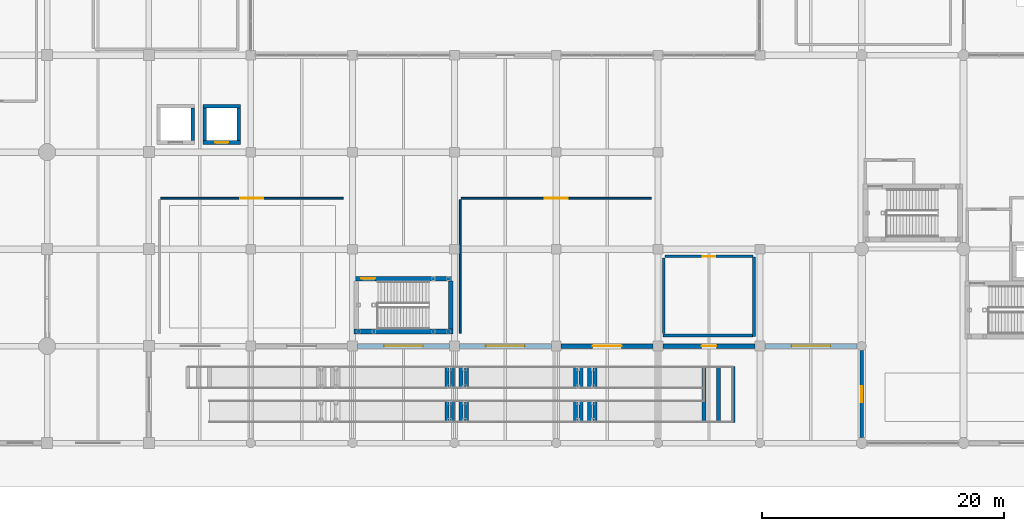
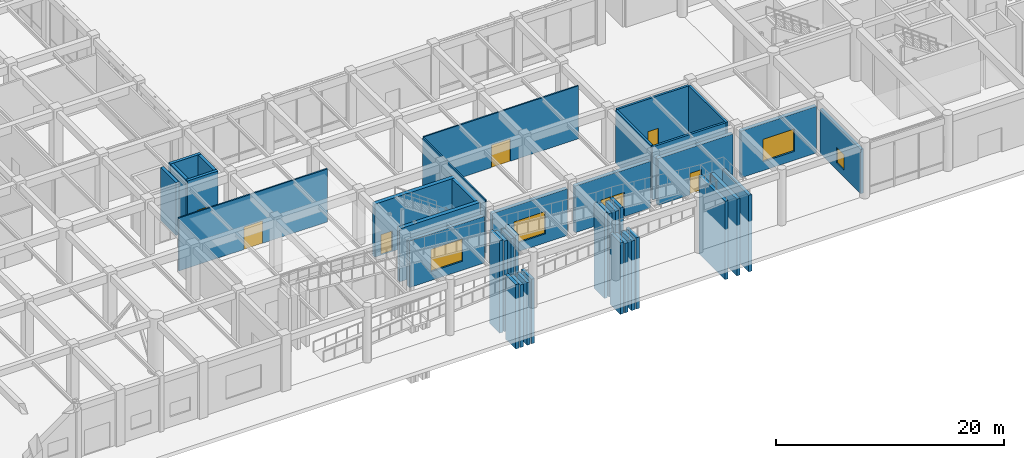
# One storey, part 52 of 76: 40 walls, 7 doors, 4 windows, 11 openings.
"""IFC4 building model written with IfcOpenShell, lengths in metres."""

from ifc_helpers import new_model, si_unit, direction, frame, frame_2d, origin, place, context, subcontext, project, spatial, rectangle, extrude, material, layer, layer_set, type_object, element, fill, save


model = new_model("IFC4")

# Units and contexts
model_context = context("Model", 3, precision=1e-05, world=origin(), true_north=direction((0.0, 1.0)))
body_context = subcontext(model_context, "Body", "Model", "MODEL_VIEW")
ifc_project = project(units=[si_unit("LENGTHUNIT", "METRE"), si_unit("AREAUNIT", "SQUARE_METRE"), si_unit("VOLUMEUNIT", "CUBIC_METRE"), si_unit("PLANEANGLEUNIT", "RADIAN"), si_unit("MASSUNIT", "GRAM", prefix="KILO")], contexts=[model_context])

# Site, building, storey
site_placement = place(None, origin())
site = spatial("IfcSite", under=ifc_project, at=site_placement, CompositionType="ELEMENT")
building_placement = place(site_placement, origin())
building = spatial("IfcBuilding", under=site, at=building_placement, Name="Naruveol Harbour Congress Hotel", CompositionType="ELEMENT")
storey_placement = place(building_placement, origin())
storey = spatial("IfcBuildingStorey", under=building, at=storey_placement, Name="L00", CompositionType="ELEMENT", Elevation=0.0)

# Wall, opening, door
ifc_material_1 = material(Name="Acoustic Double Stud Gypsum", Category="gypsum")
ifc_layer_1 = layer(ifc_material_1, 0.139892578125)
ifc_layer_set_1 = layer_set([ifc_layer_1], Name="Acoustic Double Stud Gypsum")
wall_type_1 = type_object("IfcWallType", Name="ACOUSTIC MEETING PARTITION WALL 140", PredefinedType="PARTITIONING", material=ifc_layer_set_1)
wall_1_placement = place(storey_placement, frame((59.760009765625, 20.199951171875, 0.0), z_axis=(0.0, 0.0, 1.0), x_axis=(1.0, 0.0, 0.0)))
wall_1 = element("IfcWall", 1, at=wall_1_placement, inside=storey, type_object=wall_type_1, Name="Harbourfront Brasserie Restaurant north entry wall PW-140", PredefinedType="PARTITIONING", context=body_context, shape_type="SweptSolid", body=[
    extrude(rectangle(XDim=15.080078125, YDim=0.139892578125, at=frame_2d((7.5400390625, 0.0))), origin(), (0.0, 0.0, 1.0), 5.675048828125),
])
opening_1_placement = place(wall_1_placement, frame((6.590087890625, 0.0, 0.0)))
opening_1 = element("IfcOpeningElement", 2, at=opening_1_placement, cuts=wall_1, Name="Opening ID-LG-26", PredefinedType="OPENING", context=body_context, shape_type="SweptSolid", body=[
    extrude(rectangle(XDim=1.89990234375, YDim=2.39990234375, at=frame_2d((0.949951171875, 1.199951171875))), frame((0.0, 0.079833984375, 0.0), z_axis=(0.0, -1.0, 0.0), x_axis=(1.0, 0.0, 0.0)), (0.0, 0.0, 1.0), 0.159912109375),
])
ifc_material_2 = material(Name="Timber & Steel Acoustic Leaf", Category="steel")
door_type_1 = type_object("IfcDoorType", Name="RESTAURANT AND LOUNGE GLAZED DOOR 1900X2400", OperationType="DOUBLE_DOOR_SINGLE_SWING", PredefinedType="DOOR", material=ifc_material_2)
door_1_placement = place(opening_1_placement, origin())
door_1 = element("IfcDoor", 3, at=door_1_placement, inside=storey, type_object=door_type_1, Name="Harbourfront Brasserie Restaurant Entrance Door", OperationType="DOUBLE_DOOR_SINGLE_SWING", OverallHeight=2.39990234375, OverallWidth=1.89990234375, PredefinedType="DOOR", context=body_context, shape_type="SweptSolid", body=[
    extrude(rectangle(XDim=1.89990234375, YDim=2.39990234375, at=frame_2d((0.949951171875, 1.199951171875))), frame((0.0, 0.02490234375, 0.0), z_axis=(0.0, -1.0, 0.0), x_axis=(1.0, 0.0, 0.0)), (0.0, 0.0, 1.0), 0.050048828125),
])
fill(opening_1, door_1)

wall_2_placement = place(storey_placement, frame((84.56005859375, 20.199951171875, 0.0), z_axis=(0.0, 0.0, 1.0), x_axis=(1.0, 0.0, 0.0)))
wall_2 = element("IfcWall", 4, at=wall_2_placement, inside=storey, type_object=wall_type_1, Name="Waterfront Seafood Dining Room north entry wall PW-140", PredefinedType="PARTITIONING", context=body_context, shape_type="SweptSolid", body=[
    extrude(rectangle(XDim=15.679931640625, YDim=0.139892578125, at=frame_2d((7.83984375, 0.0))), origin(), (0.0, 0.0, 1.0), 5.675048828125),
])
opening_2_placement = place(wall_2_placement, frame((6.889892578125, 0.0, 0.0)))
opening_2 = element("IfcOpeningElement", 5, at=opening_2_placement, cuts=wall_2, Name="Opening ID-LG-27", PredefinedType="OPENING", context=body_context, shape_type="SweptSolid", body=[
    extrude(rectangle(XDim=1.89990234375, YDim=2.39990234375, at=frame_2d((0.949951171875, 1.199951171875))), frame((0.0, 0.079833984375, 0.0), z_axis=(0.0, -1.0, 0.0), x_axis=(1.0, 0.0, 0.0)), (0.0, 0.0, 1.0), 0.159912109375),
])
door_2_placement = place(opening_2_placement, origin())
door_2 = element("IfcDoor", 6, at=door_2_placement, inside=storey, type_object=door_type_1, Name="Waterfront Seafood Dining Room Entrance Door", OperationType="DOUBLE_DOOR_SINGLE_SWING", OverallHeight=2.39990234375, OverallWidth=1.89990234375, PredefinedType="DOOR", context=body_context, shape_type="SweptSolid", body=[
    extrude(rectangle(XDim=1.89990234375, YDim=2.39990234375, at=frame_2d((0.949951171875, 1.199951171875))), frame((0.0, 0.02490234375, 0.0), z_axis=(0.0, -1.0, 0.0), x_axis=(1.0, 0.0, 0.0)), (0.0, 0.0, 1.0), 0.050048828125),
])
fill(opening_2, door_2)

# Wall
wall_3_placement = place(storey_placement, frame((84.47998046875, 9.050048828125, 0.0), z_axis=(0.0, 0.0, 1.0), x_axis=(0.0, 1.0, 0.0)))
element("IfcWall", 7, at=wall_3_placement, inside=storey, type_object=wall_type_1, Name="Waterfront Seafood Dining Room west partition PW-140", PredefinedType="PARTITIONING", context=body_context, shape_type="SweptSolid", body=[
    extrude(rectangle(XDim=11.010009765625, YDim=0.139892578125, at=frame_2d((5.5048828125, 0.0))), origin(), (0.0, 0.0, 1.0), 5.675048828125),
])

# Wall, opening, window
ifc_material_3 = material(Name="Precast concrete C40/50", Category="concrete")
ifc_layer_2 = layer(ifc_material_3, 0.280029296875)
ifc_layer_set_2 = layer_set([ifc_layer_2], Name="Precast concrete C40/50")
wall_type_2 = type_object("IfcWallType", Name="ARCHITECTURAL PRECAST FACADE WALL 280", PredefinedType="SOLIDWALL", material=ifc_layer_set_2)
wall_4_placement = place(storey_placement, frame((117.60009765625, 0.449951171875, 0.0), z_axis=(0.0, 0.0, 1.0), x_axis=(0.0, 1.0, 0.0)))
wall_4 = element("IfcWall", 8, at=wall_4_placement, inside=storey, type_object=wall_type_2, Name="Hotel west gable wall L00 EW-280", PredefinedType="SOLIDWALL", context=body_context, shape_type="SweptSolid", body=[
    extrude(rectangle(XDim=7.175048828125, YDim=0.280029296875, at=frame_2d((3.58740234375, 0.0))), origin(), (0.0, 0.0, 1.0), 4.75),
])
opening_3_placement = place(wall_4_placement, frame((2.93798828125, 0.0, 0.75)))
opening_3 = element("IfcOpeningElement", 9, at=opening_3_placement, cuts=wall_4, Name="Opening W-27", PredefinedType="OPENING", context=body_context, shape_type="SweptSolid", body=[
    extrude(rectangle(XDim=1.300048828125, YDim=1.64990234375, at=frame_2d((0.64990234375, 0.824951171875))), frame((0.0, 0.14990234375, 0.0), z_axis=(0.0, -1.0, 0.0), x_axis=(1.0, 0.0, 0.0)), (0.0, 0.0, 1.0), 0.300048828125),
])
ifc_material_4 = material(Name="Low-E Triple Glazing in Thermal Aluminium", Category="aluminium")
window_type_1 = type_object("IfcWindowType", Name="READING SALON TALL WINDOW 1300X1650", PartitioningType="SINGLE_PANEL", PredefinedType="WINDOW", material=ifc_material_4)
window_1_placement = place(opening_3_placement, origin())
window_1 = element("IfcWindow", 10, at=window_1_placement, inside=storey, type_object=window_type_1, Name="Window W-27 #178", OverallHeight=1.64990234375, OverallWidth=1.300048828125, PartitioningType="SINGLE_PANEL", PredefinedType="WINDOW", context=body_context, shape_type="SweptSolid", body=[
    extrude(rectangle(XDim=1.300048828125, YDim=1.64990234375, at=frame_2d((0.64990234375, 0.824951171875))), frame((0.0, 0.030029296875, 0.0), z_axis=(0.0, -1.0, 0.0), x_axis=(1.0, 0.0, 0.0)), (0.0, 0.0, 1.0), 0.06005859375),
])
fill(opening_3, window_1)

# Wall, opening, door
ifc_material_5 = material(Name="Concrete C40/50", Category="concrete")
ifc_layer_3 = layer(ifc_material_5, 0.219970703125)
ifc_layer_set_3 = layer_set([ifc_layer_3], Name="Concrete C40/50")
wall_type_3 = type_object("IfcWallType", Name="FIRE COMPARTMENT AND LOBBY WALL 220 EI120", PredefinedType="PARTITIONING", material=ifc_layer_set_3)
wall_5_placement = place(storey_placement, frame((101.360107421875, 15.39990234375, 0.0), z_axis=(0.0, 0.0, 1.0), x_axis=(1.0, 0.0, 0.0)))
wall_5 = element("IfcWall", 11, at=wall_5_placement, inside=storey, type_object=wall_type_3, Name="Fire Command Centre north entry wall FW-220", PredefinedType="PARTITIONING", context=body_context, shape_type="SweptSolid", body=[
    extrude(rectangle(XDim=7.27978515625, YDim=0.219970703125, at=frame_2d((3.639892578125, 0.0))), origin(), (0.0, 0.0, 1.0), 5.675048828125),
])
opening_4_placement = place(wall_5_placement, frame((3.110107421875, 0.0, 0.0)))
opening_4 = element("IfcOpeningElement", 12, at=opening_4_placement, cuts=wall_5, Name="Opening FD-FCC2", PredefinedType="OPENING", context=body_context, shape_type="SweptSolid", body=[
    extrude(rectangle(XDim=1.06005859375, YDim=2.199951171875, at=frame_2d((0.530029296875, 1.10009765625))), frame((0.0, 0.119873046875, 0.0), z_axis=(0.0, -1.0, 0.0), x_axis=(1.0, 0.0, 0.0)), (0.0, 0.0, 1.0), 0.239990234375),
])
ifc_material_6 = material(Name="Timber & Steel Acoustic Leaf", Category="steel")
door_type_2 = type_object("IfcDoorType", Name="FIRE COMMAND INTERIOR FIRE DOOR 1060X2200", OperationType="NOTDEFINED", PredefinedType="DOOR", material=ifc_material_6)
door_3_placement = place(opening_4_placement, origin())
door_3 = element("IfcDoor", 13, at=door_3_placement, inside=storey, type_object=door_type_2, Name="Fire Command Interior Door FD-FCC2", OperationType="SINGLE_SWING_RIGHT", OverallHeight=2.199951171875, OverallWidth=1.06005859375, PredefinedType="DOOR", context=body_context, shape_type="SweptSolid", body=[
    extrude(rectangle(XDim=1.06005859375, YDim=2.199951171875, at=frame_2d((0.530029296875, 1.10009765625))), frame((0.0, 0.02490234375, 0.0), z_axis=(0.0, -1.0, 0.0), x_axis=(1.0, 0.0, 0.0)), (0.0, 0.0, 1.0), 0.050048828125),
])
fill(opening_4, door_3)

# Walls
wall_6_placement = place(storey_placement, frame((101.280029296875, 9.050048828125, 0.0), z_axis=(0.0, 0.0, 1.0), x_axis=(0.0, 1.0, 0.0)))
element("IfcWall", 14, at=wall_6_placement, inside=storey, type_object=wall_type_3, Name="Fire Command Centre west partition FW-220", PredefinedType="PARTITIONING", context=body_context, shape_type="SweptSolid", body=[
    extrude(rectangle(XDim=6.2099609375, YDim=0.219970703125, at=frame_2d((3.10498046875, 0.0))), origin(), (0.0, 0.0, 1.0), 5.675048828125),
])
wall_7_placement = place(storey_placement, frame((108.719970703125, 8.800048828125, 0.0), z_axis=(0.0, 0.0, 1.0), x_axis=(0.0, 1.0, 0.0)))
element("IfcWall", 15, at=wall_7_placement, inside=storey, type_object=wall_type_3, Name="Fire Command Centre east enclosure partition FW-220", PredefinedType="PARTITIONING", context=body_context, shape_type="SweptSolid", body=[
    extrude(rectangle(XDim=6.5478515625, YDim=0.219970703125, at=frame_2d((3.27392578125, 0.0))), origin(), (0.0, 0.0, 1.0), 5.675048828125),
])
wall_8_placement = place(storey_placement, frame((101.199951171875, 8.8798828125, 0.0), z_axis=(0.0, 0.0, 1.0), x_axis=(1.0, 0.0, 0.0)))
element("IfcWall", 16, at=wall_8_placement, inside=storey, type_object=wall_type_3, Name="Fire Command Centre south enclosure partition FW-220", PredefinedType="PARTITIONING", context=body_context, shape_type="SweptSolid", body=[
    extrude(rectangle(XDim=7.41015625, YDim=0.219970703125, at=frame_2d((3.705078125, 0.0))), origin(), (0.0, 0.0, 1.0), 5.675048828125),
])

# Wall, opening, window
ifc_material_7 = material(Name="Concrete C40/50", Category="concrete")
ifc_layer_4 = layer(ifc_material_7, 0.3798828125)
ifc_layer_set_4 = layer_set([ifc_layer_4], Name="Concrete C40/50")
wall_type_4 = type_object("IfcWallType", Name="INSULATED GRANITE FACADE WALL 380", PredefinedType="SOLIDWALL", material=ifc_layer_set_4)
wall_9_placement = place(storey_placement, frame((117.22509765625, 8.0, 0.0), z_axis=(0.0, 0.0, 1.0), x_axis=(-1.0, 0.0, 0.0)))
wall_9 = element("IfcWall", 17, at=wall_9_placement, inside=storey, type_object=wall_type_4, Name="Courtyard wing south facade EW-380", PredefinedType="SOLIDWALL", context=body_context, shape_type="SweptSolid", body=[
    extrude(rectangle(XDim=7.625, YDim=0.3798828125, at=frame_2d((3.8125, 0.0))), origin(), (0.0, 0.0, 1.0), 5.0),
])
opening_5_placement = place(wall_9_placement, frame((2.2119140625, 0.0, 0.949951171875)))
opening_5 = element("IfcOpeningElement", 18, at=opening_5_placement, cuts=wall_9, Name="Opening W-11", PredefinedType="OPENING", context=body_context, shape_type="SweptSolid", body=[
    extrude(rectangle(XDim=3.199951171875, YDim=2.39990234375, at=frame_2d((1.60009765625, 1.199951171875))), frame((0.0, 0.199951171875, 0.0), z_axis=(0.0, -1.0, 0.0), x_axis=(1.0, 0.0, 0.0)), (0.0, 0.0, 1.0), 0.39990234375),
])
ifc_material_8 = material(Name="Low-E Triple Glazing in Thermal Aluminium", Category="aluminium")
window_type_2 = type_object("IfcWindowType", Name="BRASSERIE WATERFRONT WINDOW 3200X2400", PartitioningType="DOUBLE_PANEL_VERTICAL", PredefinedType="WINDOW", material=ifc_material_8)
window_2_placement = place(opening_5_placement, origin())
window_2 = element("IfcWindow", 19, at=window_2_placement, inside=storey, type_object=window_type_2, Name="Window W-11 #131", OverallHeight=2.39990234375, OverallWidth=3.199951171875, PartitioningType="DOUBLE_PANEL_VERTICAL", PredefinedType="WINDOW", context=body_context, shape_type="SweptSolid", body=[
    extrude(rectangle(XDim=3.199951171875, YDim=2.39990234375, at=frame_2d((1.60009765625, 1.199951171875))), frame((0.0, 0.030029296875, 0.0), z_axis=(0.0, -1.0, 0.0), x_axis=(1.0, 0.0, 0.0)), (0.0, 0.0, 1.0), 0.06005859375),
])
fill(opening_5, window_2)

# Wall, opening, door
wall_10_placement = place(storey_placement, frame((108.800048828125, 8.0, 0.0), z_axis=(0.0, 0.0, 1.0), x_axis=(-1.0, 0.0, 0.0)))
wall_10 = element("IfcWall", 20, at=wall_10_placement, inside=storey, type_object=wall_type_4, Name="Courtyard wing south facade EW-380", PredefinedType="SOLIDWALL", context=body_context, shape_type="SweptSolid", body=[
    extrude(rectangle(XDim=7.60009765625, YDim=0.3798828125, at=frame_2d((3.800048828125, 0.0))), origin(), (0.0, 0.0, 1.0), 5.0),
])
opening_6_placement = place(wall_10_placement, frame((3.199951171875, 0.0, 0.0)))
opening_6 = element("IfcOpeningElement", 21, at=opening_6_placement, cuts=wall_10, Name="Opening FD-FCC1", PredefinedType="OPENING", context=body_context, shape_type="SweptSolid", body=[
    extrude(rectangle(XDim=1.199951171875, YDim=2.300048828125, at=frame_2d((0.60009765625, 1.14990234375))), frame((0.0, 0.199951171875, 0.0), z_axis=(0.0, -1.0, 0.0), x_axis=(1.0, 0.0, 0.0)), (0.0, 0.0, 1.0), 0.39990234375),
])
ifc_material_9 = material(Name="Powder-Coated Steel & Insulated Glazing", Category="steel")
door_type_3 = type_object("IfcDoorType", Name="FIRE COMMAND EXTERIOR DOOR 1200X2300", OperationType="NOTDEFINED", PredefinedType="DOOR", material=ifc_material_9)
door_4_placement = place(opening_6_placement, origin())
door_4 = element("IfcDoor", 22, at=door_4_placement, inside=storey, type_object=door_type_3, Name="Fire Command Direct Exterior Door FD-FCC1", OperationType="SINGLE_SWING_LEFT", OverallHeight=2.300048828125, OverallWidth=1.199951171875, PredefinedType="DOOR", context=body_context, shape_type="SweptSolid", body=[
    extrude(rectangle(XDim=1.199951171875, YDim=2.300048828125, at=frame_2d((0.60009765625, 1.14990234375))), frame((0.0, 0.02490234375, 0.0), z_axis=(0.0, -1.0, 0.0), x_axis=(1.0, 0.0, 0.0)), (0.0, 0.0, 1.0), 0.050048828125),
])
fill(opening_6, door_4)

wall_11_placement = place(storey_placement, frame((100.39990234375, 8.0, 0.0), z_axis=(0.0, 0.0, 1.0), x_axis=(-1.0, 0.0, 0.0)))
wall_11 = element("IfcWall", 23, at=wall_11_placement, inside=storey, type_object=wall_type_4, Name="Courtyard wing south facade EW-380", PredefinedType="SOLIDWALL", context=body_context, shape_type="SweptSolid", body=[
    extrude(rectangle(XDim=7.599853515625, YDim=0.3798828125, at=frame_2d((3.7998046875, 0.0))), origin(), (0.0, 0.0, 1.0), 5.0),
])
opening_7_placement = place(wall_11_placement, frame((2.60009765625, 0.0, 0.0)))
opening_7 = element("IfcOpeningElement", 24, at=opening_7_placement, cuts=wall_11, Name="Opening E10", PredefinedType="OPENING", context=body_context, shape_type="SweptSolid", body=[
    extrude(rectangle(XDim=2.39990234375, YDim=2.60009765625, at=frame_2d((1.199951171875, 1.300048828125))), frame((0.0, 0.199951171875, 0.0), z_axis=(0.0, -1.0, 0.0), x_axis=(1.0, 0.0, 0.0)), (0.0, 0.0, 1.0), 0.39990234375),
])
ifc_material_10 = material(Name="Powder-Coated Steel & Insulated Glazing", Category="steel")
door_type_4 = type_object("IfcDoorType", Name="FINAL EXIT DOUBLE DOOR 2400X2600", OperationType="DOUBLE_DOOR_SINGLE_SWING", PredefinedType="DOOR", material=ifc_material_10)
door_5_placement = place(opening_7_placement, origin())
door_5 = element("IfcDoor", 25, at=door_5_placement, inside=storey, type_object=door_type_4, Name="Final Exit Door E10", OperationType="DOUBLE_DOOR_SINGLE_SWING", OverallHeight=2.60009765625, OverallWidth=2.39990234375, PredefinedType="DOOR", context=body_context, shape_type="SweptSolid", body=[
    extrude(rectangle(XDim=2.39990234375, YDim=2.60009765625, at=frame_2d((1.199951171875, 1.300048828125))), frame((0.0, 0.02490234375, 0.0), z_axis=(0.0, -1.0, 0.0), x_axis=(1.0, 0.0, 0.0)), (0.0, 0.0, 1.0), 0.050048828125),
])
fill(opening_7, door_5)

# Wall, opening, window
wall_12_placement = place(storey_placement, frame((92.0, 8.0, 0.0), z_axis=(0.0, 0.0, 1.0), x_axis=(-1.0, 0.0, 0.0)))
wall_12 = element("IfcWall", 26, at=wall_12_placement, inside=storey, type_object=wall_type_4, Name="Courtyard wing south facade EW-380", PredefinedType="SOLIDWALL", context=body_context, shape_type="SweptSolid", body=[
    extrude(rectangle(XDim=7.60009765625, YDim=0.3798828125, at=frame_2d((3.800048828125, 0.0))), origin(), (0.0, 0.0, 1.0), 5.0),
])
opening_8_placement = place(wall_12_placement, frame((2.199951171875, 0.0, 0.949951171875)))
opening_8 = element("IfcOpeningElement", 27, at=opening_8_placement, cuts=wall_12, Name="Opening W-11", PredefinedType="OPENING", context=body_context, shape_type="SweptSolid", body=[
    extrude(rectangle(XDim=3.199951171875, YDim=2.39990234375, at=frame_2d((1.60009765625, 1.199951171875))), frame((0.0, 0.199951171875, 0.0), z_axis=(0.0, -1.0, 0.0), x_axis=(1.0, 0.0, 0.0)), (0.0, 0.0, 1.0), 0.39990234375),
])
window_3_placement = place(opening_8_placement, origin())
window_3 = element("IfcWindow", 28, at=window_3_placement, inside=storey, type_object=window_type_2, Name="Window W-11 #132", OverallHeight=2.39990234375, OverallWidth=3.199951171875, PartitioningType="DOUBLE_PANEL_VERTICAL", PredefinedType="WINDOW", context=body_context, shape_type="SweptSolid", body=[
    extrude(rectangle(XDim=3.199951171875, YDim=2.39990234375, at=frame_2d((1.60009765625, 1.199951171875))), frame((0.0, 0.030029296875, 0.0), z_axis=(0.0, -1.0, 0.0), x_axis=(1.0, 0.0, 0.0)), (0.0, 0.0, 1.0), 0.06005859375),
])
fill(opening_8, window_3)

wall_13_placement = place(storey_placement, frame((83.60009765625, 8.0, 0.0), z_axis=(0.0, 0.0, 1.0), x_axis=(-1.0, 0.0, 0.0)))
wall_13 = element("IfcWall", 29, at=wall_13_placement, inside=storey, type_object=wall_type_4, Name="Courtyard wing south facade EW-380", PredefinedType="SOLIDWALL", context=body_context, shape_type="SweptSolid", body=[
    extrude(rectangle(XDim=7.60009765625, YDim=0.3798828125, at=frame_2d((3.800048828125, 0.0))), origin(), (0.0, 0.0, 1.0), 5.0),
])
opening_9_placement = place(wall_13_placement, frame((2.199951171875, 0.0, 0.949951171875)))
opening_9 = element("IfcOpeningElement", 30, at=opening_9_placement, cuts=wall_13, Name="Opening W-11", PredefinedType="OPENING", context=body_context, shape_type="SweptSolid", body=[
    extrude(rectangle(XDim=3.199951171875, YDim=2.39990234375, at=frame_2d((1.60009765625, 1.199951171875))), frame((0.0, 0.199951171875, 0.0), z_axis=(0.0, -1.0, 0.0), x_axis=(1.0, 0.0, 0.0)), (0.0, 0.0, 1.0), 0.39990234375),
])
window_4_placement = place(opening_9_placement, origin())
window_4 = element("IfcWindow", 31, at=window_4_placement, inside=storey, type_object=window_type_2, Name="Window W-11 #133", OverallHeight=2.39990234375, OverallWidth=3.199951171875, PartitioningType="DOUBLE_PANEL_VERTICAL", PredefinedType="WINDOW", context=body_context, shape_type="SweptSolid", body=[
    extrude(rectangle(XDim=3.199951171875, YDim=2.39990234375, at=frame_2d((1.60009765625, 1.199951171875))), frame((0.0, 0.030029296875, 0.0), z_axis=(0.0, -1.0, 0.0), x_axis=(1.0, 0.0, 0.0)), (0.0, 0.0, 1.0), 0.06005859375),
])
fill(opening_9, window_4)

# Walls
ifc_material_11 = material(Name="Concrete C50/60", Category="concrete")
ifc_layer_5 = layer(ifc_material_11, 0.39990234375)
ifc_layer_set_5 = layer_set([ifc_layer_5], Name="Concrete C50/60")
wall_type_5 = type_object("IfcWallType", Name="RC CORE SHEAR WALL 400 EI120", PredefinedType="SHEAR", material=ifc_layer_set_5)
wall_14_placement = place(storey_placement, frame((75.699951171875, 9.199951171875, 0.0), z_axis=(0.0, 0.0, 1.0), x_axis=(1.0, 0.0, 0.0)))
element("IfcWall", 32, at=wall_14_placement, inside=storey, type_object=wall_type_5, Name="Stair ST10 south core wall CW-400", PredefinedType="SHEAR", context=body_context, shape_type="SweptSolid", body=[
    extrude(rectangle(XDim=8.199951171875, YDim=0.39990234375, at=frame_2d((4.10009765625, 0.0))), origin(), (0.0, 0.0, 1.0), 5.675048828125),
])
wall_15_placement = place(storey_placement, frame((83.699951171875, 9.405029296875, 0.0), z_axis=(0.0, 0.0, 1.0), x_axis=(0.0, 1.0, 0.0)))
element("IfcWall", 33, at=wall_15_placement, inside=storey, type_object=wall_type_5, Name="Stair ST10 east core wall CW-400", PredefinedType="SHEAR", context=body_context, shape_type="SweptSolid", body=[
    extrude(rectangle(XDim=3.949951171875, YDim=0.39990234375, at=frame_2d((1.97509765625, 0.0))), origin(), (0.0, 0.0, 1.0), 5.675048828125),
])

# Wall, opening, door
wall_16_placement = place(storey_placement, frame((75.699951171875, 13.56005859375, 0.0), z_axis=(0.0, 0.0, 1.0), x_axis=(1.0, 0.0, 0.0)))
wall_16 = element("IfcWall", 34, at=wall_16_placement, inside=storey, type_object=wall_type_5, Name="Stair ST10 north core wall CW-400", PredefinedType="SHEAR", context=body_context, shape_type="SweptSolid", body=[
    extrude(rectangle(XDim=8.199951171875, YDim=0.39990234375, at=frame_2d((4.10009765625, 0.0))), origin(), (0.0, 0.0, 1.0), 5.675048828125),
])
opening_10_placement = place(wall_16_placement, frame((0.6201171875, 0.0, 0.0)))
opening_10 = element("IfcOpeningElement", 35, at=opening_10_placement, cuts=wall_16, Name="Opening FD-ST10-L00", PredefinedType="OPENING", context=body_context, shape_type="SweptSolid", body=[
    extrude(rectangle(XDim=1.159912109375, YDim=2.199951171875, at=frame_2d((0.580078125, 1.10009765625))), frame((0.0, 0.2099609375, 0.0), z_axis=(0.0, -1.0, 0.0), x_axis=(1.0, 0.0, 0.0)), (0.0, 0.0, 1.0), 0.419921875),
])
ifc_material_12 = material(Name="Timber & Steel Acoustic Leaf", Category="steel")
door_type_5 = type_object("IfcDoorType", Name="SPECIAL ESCAPE STAIR FIRE DOOR 1160X2200", OperationType="NOTDEFINED", PredefinedType="DOOR", material=ifc_material_12)
door_6_placement = place(opening_10_placement, origin())
door_6 = element("IfcDoor", 36, at=door_6_placement, inside=storey, type_object=door_type_5, Name="Enclosed Exit Stair Door ST10 L00", OperationType="SINGLE_SWING_LEFT", OverallHeight=2.199951171875, OverallWidth=1.159912109375, PredefinedType="DOOR", context=body_context, shape_type="SweptSolid", body=[
    extrude(rectangle(XDim=1.159912109375, YDim=2.199951171875, at=frame_2d((0.580078125, 1.10009765625))), frame((0.0, 0.02490234375, 0.0), z_axis=(0.0, -1.0, 0.0), x_axis=(1.0, 0.0, 0.0)), (0.0, 0.0, 1.0), 0.050048828125),
])
fill(opening_10, door_6)

# Walls
ifc_material_13 = material(Name="Concrete C40/50", Category="concrete")
ifc_layer_6 = layer(ifc_material_13, 0.320068359375)
ifc_layer_set_6 = layer_set([ifc_layer_6], Name="Concrete C40/50")
wall_type_6 = type_object("IfcWallType", Name="RC RAMP SUPPORT WALL 320", PredefinedType="SHEAR", material=ifc_layer_set_6)
wall_17_placement = place(storey_placement, frame((83.39990234375, 1.699951171875, -5.39990234375), z_axis=(0.0, 0.0, 1.0), x_axis=(0.0, 1.0, 0.0)))
element("IfcWall", 37, at=wall_17_placement, inside=storey, type_object=wall_type_6, Name="Promenade ramp bearing pier #6", PredefinedType="SHEAR", context=body_context, shape_type="SweptSolid", body=[
    extrude(rectangle(XDim=1.800048828125, YDim=0.320068359375, at=frame_2d((0.89990234375, 0.0))), origin(), (0.0, 0.0, 1.0), 6.89990234375),
])
for number, where, z_axis, x_axis, name in (
    (38, (83.85009765625, 1.699951171875, -5.39990234375), (0.0, 0.0, 1.0), (0.0, 1.0, 0.0), "Promenade ramp bearing pier #7"),
    (39, (84.550048828125, 1.699951171875, -5.39990234375), (0.0, 0.0, 1.0), (0.0, 1.0, 0.0), "Promenade ramp bearing pier #8"),
):
    element("IfcWall", number, at=place(storey_placement, frame(where, z_axis=z_axis, x_axis=x_axis)), inside=storey, type_object=wall_type_6, Name=name, PredefinedType="SHEAR", context=body_context, shape_type="SweptSolid", body=[
        extrude(rectangle(XDim=1.800048828125, YDim=0.320068359375, at=frame_2d((0.89990234375, 0.0))), origin(), (0.0, 0.0, 1.0), 6.699951171875),
    ])
wall_18_placement = place(storey_placement, frame((85.0, 1.699951171875, -5.39990234375), z_axis=(0.0, 0.0, 1.0), x_axis=(0.0, 1.0, 0.0)))
element("IfcWall", 40, at=wall_18_placement, inside=storey, type_object=wall_type_6, Name="Promenade ramp bearing pier #9", PredefinedType="SHEAR", context=body_context, shape_type="SweptSolid", body=[
    extrude(rectangle(XDim=1.800048828125, YDim=0.320068359375, at=frame_2d((0.89990234375, 0.0))), origin(), (0.0, 0.0, 1.0), 6.89990234375),
])
wall_19_placement = place(storey_placement, frame((94.0, 1.699951171875, -5.39990234375), z_axis=(0.0, 0.0, 1.0), x_axis=(0.0, 1.0, 0.0)))
element("IfcWall", 41, at=wall_19_placement, inside=storey, type_object=wall_type_6, Name="Promenade ramp bearing pier #10", PredefinedType="SHEAR", context=body_context, shape_type="SweptSolid", body=[
    extrude(rectangle(XDim=1.800048828125, YDim=0.320068359375, at=frame_2d((0.89990234375, 0.0))), origin(), (0.0, 0.0, 1.0), 7.64990234375),
])
for number, where, z_axis, x_axis, name in (
    (42, (94.449951171875, 1.699951171875, -5.39990234375), (0.0, 0.0, 1.0), (0.0, 1.0, 0.0), "Promenade ramp bearing pier #11"),
    (43, (95.14990234375, 1.699951171875, -5.39990234375), (0.0, 0.0, 1.0), (0.0, 1.0, 0.0), "Promenade ramp bearing pier #12"),
):
    element("IfcWall", number, at=place(storey_placement, frame(where, z_axis=z_axis, x_axis=x_axis)), inside=storey, type_object=wall_type_6, Name=name, PredefinedType="SHEAR", context=body_context, shape_type="SweptSolid", body=[
        extrude(rectangle(XDim=1.800048828125, YDim=0.320068359375, at=frame_2d((0.89990234375, 0.0))), origin(), (0.0, 0.0, 1.0), 7.449951171875),
    ])
wall_20_placement = place(storey_placement, frame((95.60009765625, 1.699951171875, -5.39990234375), z_axis=(0.0, 0.0, 1.0), x_axis=(0.0, 1.0, 0.0)))
element("IfcWall", 44, at=wall_20_placement, inside=storey, type_object=wall_type_6, Name="Promenade ramp bearing pier #13", PredefinedType="SHEAR", context=body_context, shape_type="SweptSolid", body=[
    extrude(rectangle(XDim=1.800048828125, YDim=0.320068359375, at=frame_2d((0.89990234375, 0.0))), origin(), (0.0, 0.0, 1.0), 7.64990234375),
])
wall_21_placement = place(storey_placement, frame((104.60009765625, 1.699951171875, -5.39990234375), z_axis=(0.0, 0.0, 1.0), x_axis=(0.0, 1.0, 0.0)))
element("IfcWall", 45, at=wall_21_placement, inside=storey, type_object=wall_type_6, Name="Promenade ramp bearing pier #14", PredefinedType="SHEAR", context=body_context, shape_type="SweptSolid", body=[
    extrude(rectangle(XDim=4.60009765625, YDim=0.320068359375, at=frame_2d((2.300048828125, 0.0))), origin(), (0.0, 0.0, 1.0), 8.39990234375),
])
for number, where, z_axis, x_axis, name in (
    (46, (105.800048828125, 1.699951171875, -5.39990234375), (0.0, 0.0, 1.0), (0.0, 1.0, 0.0), "Promenade ramp bearing pier #15"),
    (47, (107.0, 1.699951171875, -5.39990234375), (0.0, 0.0, 1.0), (0.0, 1.0, 0.0), "Promenade ramp bearing pier #16"),
):
    element("IfcWall", number, at=place(storey_placement, frame(where, z_axis=z_axis, x_axis=x_axis)), inside=storey, type_object=wall_type_6, Name=name, PredefinedType="SHEAR", context=body_context, shape_type="SweptSolid", body=[
        extrude(rectangle(XDim=4.60009765625, YDim=0.320068359375, at=frame_2d((2.300048828125, 0.0))), origin(), (0.0, 0.0, 1.0), 8.199951171875),
    ])
wall_22_placement = place(storey_placement, frame((95.60009765625, 4.5, -5.39990234375), z_axis=(0.0, 0.0, 1.0), x_axis=(0.0, 1.0, 0.0)))
element("IfcWall", 48, at=wall_22_placement, inside=storey, type_object=wall_type_6, Name="Promenade ramp bearing pier #17", PredefinedType="SHEAR", context=body_context, shape_type="SweptSolid", body=[
    extrude(rectangle(XDim=1.800048828125, YDim=0.320068359375, at=frame_2d((0.89990234375, 0.0))), origin(), (0.0, 0.0, 1.0), 9.14990234375),
])
for number, where, z_axis, x_axis, name in (
    (49, (95.14990234375, 4.5, -5.39990234375), (0.0, 0.0, 1.0), (0.0, 1.0, 0.0), "Promenade ramp bearing pier #18"),
    (50, (94.449951171875, 4.5, -5.39990234375), (0.0, 0.0, 1.0), (0.0, 1.0, 0.0), "Promenade ramp bearing pier #19"),
):
    element("IfcWall", number, at=place(storey_placement, frame(where, z_axis=z_axis, x_axis=x_axis)), inside=storey, type_object=wall_type_6, Name=name, PredefinedType="SHEAR", context=body_context, shape_type="SweptSolid", body=[
        extrude(rectangle(XDim=1.800048828125, YDim=0.320068359375, at=frame_2d((0.89990234375, 0.0))), origin(), (0.0, 0.0, 1.0), 8.949951171875),
    ])
wall_23_placement = place(storey_placement, frame((94.0, 4.5, -5.39990234375), z_axis=(0.0, 0.0, 1.0), x_axis=(0.0, 1.0, 0.0)))
element("IfcWall", 51, at=wall_23_placement, inside=storey, type_object=wall_type_6, Name="Promenade ramp bearing pier #20", PredefinedType="SHEAR", context=body_context, shape_type="SweptSolid", body=[
    extrude(rectangle(XDim=1.800048828125, YDim=0.320068359375, at=frame_2d((0.89990234375, 0.0))), origin(), (0.0, 0.0, 1.0), 9.14990234375),
])
wall_24_placement = place(storey_placement, frame((85.0, 4.5, -5.39990234375), z_axis=(0.0, 0.0, 1.0), x_axis=(0.0, 1.0, 0.0)))
element("IfcWall", 52, at=wall_24_placement, inside=storey, type_object=wall_type_6, Name="Promenade ramp bearing pier #21", PredefinedType="SHEAR", context=body_context, shape_type="SweptSolid", body=[
    extrude(rectangle(XDim=1.800048828125, YDim=0.320068359375, at=frame_2d((0.89990234375, 0.0))), origin(), (0.0, 0.0, 1.0), 9.89990234375),
])
for number, where, z_axis, x_axis, name in (
    (53, (84.550048828125, 4.5, -5.39990234375), (0.0, 0.0, 1.0), (0.0, 1.0, 0.0), "Promenade ramp bearing pier #22"),
    (54, (83.85009765625, 4.5, -5.39990234375), (0.0, 0.0, 1.0), (0.0, 1.0, 0.0), "Promenade ramp bearing pier #23"),
):
    element("IfcWall", number, at=place(storey_placement, frame(where, z_axis=z_axis, x_axis=x_axis)), inside=storey, type_object=wall_type_6, Name=name, PredefinedType="SHEAR", context=body_context, shape_type="SweptSolid", body=[
        extrude(rectangle(XDim=1.800048828125, YDim=0.320068359375, at=frame_2d((0.89990234375, 0.0))), origin(), (0.0, 0.0, 1.0), 9.699951171875),
    ])
wall_25_placement = place(storey_placement, frame((83.39990234375, 4.5, -5.39990234375), z_axis=(0.0, 0.0, 1.0), x_axis=(0.0, 1.0, 0.0)))
element("IfcWall", 55, at=wall_25_placement, inside=storey, type_object=wall_type_6, Name="Promenade ramp bearing pier #24", PredefinedType="SHEAR", context=body_context, shape_type="SweptSolid", body=[
    extrude(rectangle(XDim=1.800048828125, YDim=0.320068359375, at=frame_2d((0.89990234375, 0.0))), origin(), (0.0, 0.0, 1.0), 9.89990234375),
])
ifc_material_14 = material(Name="Concrete C50/60", Category="concrete")
ifc_layer_7 = layer(ifc_material_14, 0.300048828125)
ifc_layer_set_7 = layer_set([ifc_layer_7], Name="Concrete C50/60")
wall_type_7 = type_object("IfcWallType", Name="RC STAIR AND HOISTWAY SHEAR WALL 300 EI120", PredefinedType="SHEAR", material=ifc_layer_set_7)
wall_26_placement = place(storey_placement, frame((62.39990234375, 24.955078125, 0.0), z_axis=(0.0, 0.0, 1.0), x_axis=(0.0, 1.0, 0.0)))
element("IfcWall", 56, at=wall_26_placement, inside=storey, type_object=wall_type_7, Name="Hoistway east shear wall CL1 SW-300", PredefinedType="SHEAR", context=body_context, shape_type="SweptSolid", body=[
    extrude(rectangle(XDim=2.68994140625, YDim=0.300048828125, at=frame_2d((1.344970703125, 0.0))), origin(), (0.0, 0.0, 1.0), 5.675048828125),
])

# Wall, opening, door
wall_27_placement = place(storey_placement, frame((63.25, 24.800048828125, 0.0), z_axis=(0.0, 0.0, 1.0), x_axis=(1.0, 0.0, 0.0)))
wall_27 = element("IfcWall", 57, at=wall_27_placement, inside=storey, type_object=wall_type_7, Name="Hoistway south shear wall CL2 SW-300", PredefinedType="SHEAR", context=body_context, shape_type="SweptSolid", body=[
    extrude(rectangle(XDim=3.10009765625, YDim=0.300048828125, at=frame_2d((1.550048828125, 0.0))), origin(), (0.0, 0.0, 1.0), 5.675048828125),
])
opening_11_placement = place(wall_27_placement, frame((1.0, 0.0, 0.0)))
opening_11 = element("IfcOpeningElement", 58, at=opening_11_placement, cuts=wall_27, Name="Opening LD-CL2-L00", PredefinedType="OPENING", context=body_context, shape_type="SweptSolid", body=[
    extrude(rectangle(XDim=1.10009765625, YDim=2.199951171875, at=frame_2d((0.550048828125, 1.10009765625))), frame((0.0, 0.159912109375, 0.0), z_axis=(0.0, -1.0, 0.0), x_axis=(1.0, 0.0, 0.0)), (0.0, 0.0, 1.0), 0.320068359375),
])
ifc_material_15 = material(Name="Stainless Steel Lift Door", Category="steel")
door_type_6 = type_object("IfcDoorType", Name="PASSENGER LIFT LANDING DOOR 1100X2200", OperationType="DOUBLE_DOOR_SLIDING", PredefinedType="DOOR", material=ifc_material_15)
door_7_placement = place(opening_11_placement, origin())
door_7 = element("IfcDoor", 59, at=door_7_placement, inside=storey, type_object=door_type_6, Name="Elevator Landing Door CL2 L00", OperationType="DOUBLE_DOOR_SLIDING", OverallHeight=2.199951171875, OverallWidth=1.10009765625, PredefinedType="DOOR", context=body_context, shape_type="SweptSolid", body=[
    extrude(rectangle(XDim=1.10009765625, YDim=2.199951171875, at=frame_2d((0.550048828125, 1.10009765625))), frame((0.0, 0.02490234375, 0.0), z_axis=(0.0, -1.0, 0.0), x_axis=(1.0, 0.0, 0.0)), (0.0, 0.0, 1.0), 0.050048828125),
])
fill(opening_11, door_7)

# Walls
wall_28_placement = place(storey_placement, frame((66.199951171875, 24.955078125, 0.0), z_axis=(0.0, 0.0, 1.0), x_axis=(0.0, 1.0, 0.0)))
element("IfcWall", 60, at=wall_28_placement, inside=storey, type_object=wall_type_7, Name="Hoistway east shear wall CL2 SW-300", PredefinedType="SHEAR", context=body_context, shape_type="SweptSolid", body=[
    extrude(rectangle(XDim=2.68994140625, YDim=0.300048828125, at=frame_2d((1.344970703125, 0.0))), origin(), (0.0, 0.0, 1.0), 5.675048828125),
])
wall_29_placement = place(storey_placement, frame((66.35009765625, 27.800048828125, 0.0), z_axis=(0.0, 0.0, 1.0), x_axis=(-1.0, 0.0, 0.0)))
element("IfcWall", 61, at=wall_29_placement, inside=storey, type_object=wall_type_7, Name="Hoistway north shear wall CL2 SW-300", PredefinedType="SHEAR", context=body_context, shape_type="SweptSolid", body=[
    extrude(rectangle(XDim=3.10009765625, YDim=0.300048828125, at=frame_2d((1.550048828125, 0.0))), origin(), (0.0, 0.0, 1.0), 5.675048828125),
])
wall_30_placement = place(storey_placement, frame((63.39990234375, 27.64501953125, 0.0), z_axis=(0.0, 0.0, 1.0), x_axis=(0.0, -1.0, 0.0)))
element("IfcWall", 62, at=wall_30_placement, inside=storey, type_object=wall_type_7, Name="Hoistway west shear wall CL2 SW-300", PredefinedType="SHEAR", context=body_context, shape_type="SweptSolid", body=[
    extrude(rectangle(XDim=2.68994140625, YDim=0.300048828125, at=frame_2d((1.344970703125, 0.0))), origin(), (0.0, 0.0, 1.0), 5.675048828125),
])

save(model, "model.ifc")
